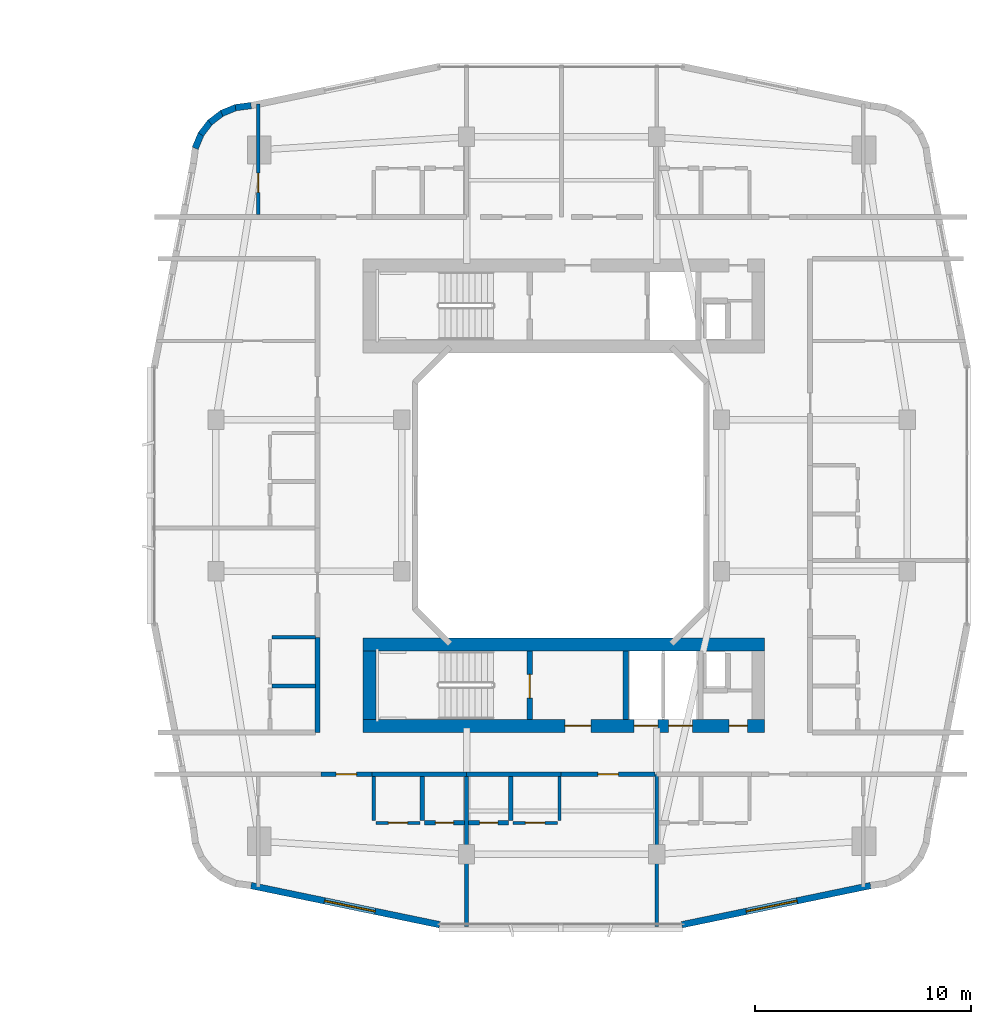
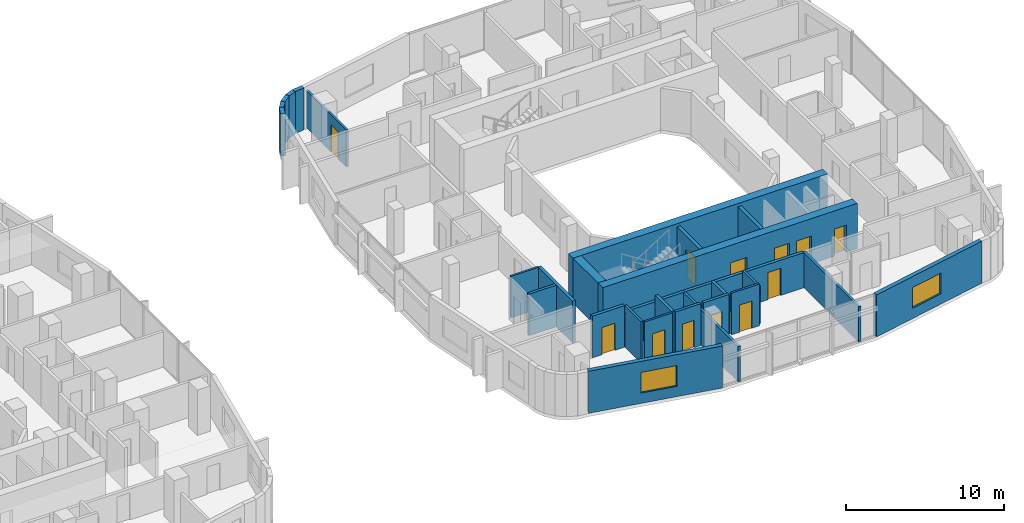
# One storey, part 18 of 27: 30 walls, 12 doors, 2 windows, 14 openings.
"""IFC4 building model written with IfcOpenShell, lengths in metres."""

from ifc_helpers import new_model, si_unit, derived_unit, direction, frame, frame_2d, origin, place, context, subcontext, project, spatial, rectangle, extrude, material, layer, layer_set, type_object, element, fill, save


model = new_model("IFC4")

# Units and contexts
model_context = context("Model", 3, precision=1e-05, world=origin(), true_north=direction((0.0, 1.0)))
body_context = subcontext(model_context, "Body", "Model", "MODEL_VIEW")
ifc_project = project(units=[si_unit("LENGTHUNIT", "METRE"), si_unit("AREAUNIT", "SQUARE_METRE"), si_unit("VOLUMEUNIT", "CUBIC_METRE"), si_unit("PLANEANGLEUNIT", "RADIAN"), si_unit("MASSUNIT", "GRAM", prefix="KILO"), derived_unit("THERMALTRANSMITTANCEUNIT", [(si_unit("POWERUNIT", "WATT"), 1), (si_unit("LENGTHUNIT", "METRE"), -2), (si_unit("THERMODYNAMICTEMPERATUREUNIT", "KELVIN"), -1)])], contexts=[model_context])

# Site, building, storey
site_placement = place(None, origin())
site = spatial("IfcSite", under=ifc_project, at=site_placement, CompositionType="ELEMENT")
building_placement = place(site_placement, origin())
building = spatial("IfcBuilding", under=site, at=building_placement, Name="Kivonza Crest Hotel", CompositionType="ELEMENT")
storey_placement = place(building_placement, frame((0.0, 0.0, 38.0)))
storey = spatial("IfcBuildingStorey", under=building, at=storey_placement, Name="L09", CompositionType="ELEMENT", Elevation=38.0)

# Walls
ifc_material_1 = material(Name="High-density acoustic masonry inter-tenancy wall", Category="masonry")
ifc_layer_1 = layer(ifc_material_1, 0.179931640625)
ifc_layer_set_1 = layer_set([ifc_layer_1], Name="High-density acoustic masonry inter-tenancy wall")
wall_type_1 = type_object("IfcWallType", Name="WL-ACOU-180", PredefinedType="SOLIDWALL", material=ifc_layer_set_1)
for number, where, z_axis, x_axis, name in (
    (1, (72.60009765625, 5.06005859375, 0.0), (0.0, 0.0, 1.0), (0.0, 1.0, 0.0), "L09 interior partition WA-L09-T2S-DIV1"),
    (2, (81.39990234375, 5.06005859375, 0.0), (0.0, 0.0, 1.0), (0.0, 1.0, 0.0), "L09 interior partition WA-L09-T2S-DIV2"),
):
    element("IfcWall", number, at=place(storey_placement, frame(where, z_axis=z_axis, x_axis=x_axis)), inside=storey, type_object=wall_type_1, Name=name, PredefinedType="SOLIDWALL", context=body_context, shape_type="SweptSolid", body=[
        extrude(rectangle(XDim=7.0400390625, YDim=0.179931640625, at=frame_2d((3.52001953125, 0.0))), origin(), (0.0, 0.0, 1.0), 2.72509765625),
    ])
ifc_material_2 = material(Name="Autoclaved aerated concrete blockwork", Category="masonry")
ifc_layer_2 = layer(ifc_material_2, 0.219970703125)
ifc_layer_set_2 = layer_set([ifc_layer_2], Name="Autoclaved aerated concrete blockwork")
wall_type_2 = type_object("IfcWallType", Name="WL-ACOU-220", PredefinedType="SOLIDWALL", material=ifc_layer_set_2)
wall_1_placement = place(storey_placement, frame((68.219970703125, 12.10009765625, 0.0), z_axis=(0.0, 0.0, 1.0), x_axis=(1.0, 0.0, 0.0)))
element("IfcWall", 3, at=wall_1_placement, inside=storey, type_object=wall_type_2, Name="L09 interior partition WA-L09-A03-RCORR", PredefinedType="SOLIDWALL", context=body_context, shape_type="SweptSolid", body=[
    extrude(rectangle(XDim=4.380126953125, YDim=0.219970703125, at=frame_2d((2.18994140625, 0.0))), origin(), (0.0, 0.0, 1.0), 2.72509765625),
])

# Wall, opening, door
wall_2_placement = place(storey_placement, frame((65.85009765625, 12.10009765625, 0.0), z_axis=(0.0, 0.0, 1.0), x_axis=(1.0, 0.0, 0.0)))
wall_2 = element("IfcWall", 4, at=wall_2_placement, inside=storey, type_object=wall_type_2, Name="L09 interior partition WA-L09-A03-MCORR", PredefinedType="SOLIDWALL", context=body_context, shape_type="SweptSolid", body=[
    extrude(rectangle(XDim=2.369873046875, YDim=0.219970703125, at=frame_2d((1.18505859375, 0.0))), origin(), (0.0, 0.0, 1.0), 3.219970703125),
])
opening_1_placement = place(wall_2_placement, frame((0.7099609375, 0.0, 0.0)))
opening_1 = element("IfcOpeningElement", 5, at=opening_1_placement, cuts=wall_2, Name="Opening DU-60", PredefinedType="OPENING", context=body_context, shape_type="SweptSolid", body=[
    extrude(rectangle(XDim=0.949951171875, YDim=2.10009765625, at=frame_2d((0.47509765625, 1.050048828125))), frame((0.0, 0.1201171875, 0.0), z_axis=(0.0, -1.0, 0.0), x_axis=(1.0, 0.0, 0.0)), (0.0, 0.0, 1.0), 0.239990234375),
])
ifc_material_3 = material(Name="Hardwood timber oak", Category="wood")
door_type_1 = type_object("IfcDoorType", Name="DR-UNIT-950", OperationType="NOTDEFINED", PredefinedType="DOOR", material=ifc_material_3)
door_1_placement = place(opening_1_placement, frame((0.949951171875, 0.0, 0.0), z_axis=(0.0, 0.0, 1.0), x_axis=(-1.0, 0.0, 0.0)))
door_1 = element("IfcDoor", 6, at=door_1_placement, inside=storey, type_object=door_type_1, Name="L09 A03 apartment entrance fire door", OperationType="SINGLE_SWING_LEFT", OverallHeight=2.10009765625, OverallWidth=0.949951171875, PredefinedType="DOOR", context=body_context, shape_type="SweptSolid", body=[
    extrude(rectangle(XDim=0.949951171875, YDim=2.10009765625, at=frame_2d((0.47509765625, 1.050048828125))), frame((0.0, 0.02490234375, 0.0), z_axis=(0.0, -1.0, 0.0), x_axis=(1.0, 0.0, 0.0)), (0.0, 0.0, 1.0), 0.050048828125),
])
fill(opening_1, door_1)

# Wall
wall_3_placement = place(storey_placement, frame((72.60009765625, 12.10009765625, 0.0), z_axis=(0.0, 0.0, 1.0), x_axis=(1.0, 0.0, 0.0)))
element("IfcWall", 7, at=wall_3_placement, inside=storey, type_object=wall_type_2, Name="L09 interior partition WA-L09-A04-LCORR", PredefinedType="SOLIDWALL", context=body_context, shape_type="SweptSolid", body=[
    extrude(rectangle(XDim=4.3798828125, YDim=0.219970703125, at=frame_2d((2.18994140625, 0.0))), origin(), (0.0, 0.0, 1.0), 2.72509765625),
])

# Wall, opening, door
wall_4_placement = place(storey_placement, frame((76.97998046875, 12.10009765625, 0.0), z_axis=(0.0, 0.0, 1.0), x_axis=(1.0, 0.0, 0.0)))
wall_4 = element("IfcWall", 8, at=wall_4_placement, inside=storey, type_object=wall_type_2, Name="L09 interior partition WA-L09-A04-MCORR", PredefinedType="SOLIDWALL", context=body_context, shape_type="SweptSolid", body=[
    extrude(rectangle(XDim=4.340087890625, YDim=0.219970703125, at=frame_2d((2.169921875, 0.0))), origin(), (0.0, 0.0, 1.0), 2.72509765625),
])
opening_2_placement = place(wall_4_placement, frame((1.695068359375, 0.0, 0.0)))
opening_2 = element("IfcOpeningElement", 9, at=opening_2_placement, cuts=wall_4, Name="Opening DU-60", PredefinedType="OPENING", context=body_context, shape_type="SweptSolid", body=[
    extrude(rectangle(XDim=0.949951171875, YDim=2.10009765625, at=frame_2d((0.47509765625, 1.050048828125))), frame((0.0, 0.1201171875, 0.0), z_axis=(0.0, -1.0, 0.0), x_axis=(1.0, 0.0, 0.0)), (0.0, 0.0, 1.0), 0.239990234375),
])
door_2_placement = place(opening_2_placement, frame((0.949951171875, 0.0, 0.0), z_axis=(0.0, 0.0, 1.0), x_axis=(-1.0, 0.0, 0.0)))
door_2 = element("IfcDoor", 10, at=door_2_placement, inside=storey, type_object=door_type_1, Name="L09 A04 apartment entrance fire door", OperationType="SINGLE_SWING_RIGHT", OverallHeight=2.10009765625, OverallWidth=0.949951171875, PredefinedType="DOOR", context=body_context, shape_type="SweptSolid", body=[
    extrude(rectangle(XDim=0.949951171875, YDim=2.10009765625, at=frame_2d((0.47509765625, 1.050048828125))), frame((0.0, 0.02490234375, 0.0), z_axis=(0.0, -1.0, 0.0), x_axis=(1.0, 0.0, 0.0)), (0.0, 0.0, 1.0), 0.050048828125),
])
fill(opening_2, door_2)

# Wall
wall_5_placement = place(storey_placement, frame((65.699951171875, 14.0400390625, 0.0), z_axis=(0.0, 0.0, 1.0), x_axis=(0.0, 1.0, 0.0)))
element("IfcWall", 11, at=wall_5_placement, inside=storey, type_object=wall_type_2, Name="L09 interior partition WA-L09-A06-BCORR", PredefinedType="SOLIDWALL", context=body_context, shape_type="SweptSolid", body=[
    extrude(rectangle(XDim=4.39990234375, YDim=0.219970703125, at=frame_2d((2.199951171875, 0.0))), origin(), (0.0, 0.0, 1.0), 3.219970703125),
])

# Wall, openings, doors
ifc_material_4 = material(Name="Concrete C60/75", Category="concrete")
ifc_layer_3 = layer(ifc_material_4, 0.60009765625)
ifc_layer_set_3 = layer_set([ifc_layer_3], Name="Concrete C60/75")
wall_type_3 = type_object("IfcWallType", Name="WL-CORE-600", PredefinedType="SHEAR", material=ifc_layer_set_3)
wall_6_placement = place(storey_placement, frame((67.800048828125, 14.340087890625, 0.0), z_axis=(0.0, 0.0, 1.0), x_axis=(1.0, 0.0, 0.0)))
wall_6 = element("IfcWall", 12, at=wall_6_placement, inside=storey, type_object=wall_type_3, Name="Core wall T2-S South L09", PredefinedType="SHEAR", context=body_context, shape_type="SweptSolid", body=[
    extrude(rectangle(XDim=18.599853515625, YDim=0.60009765625, at=frame_2d((9.2998046875, 0.0))), origin(), (0.0, 0.0, 1.0), 3.5),
])
opening_3_placement = place(wall_6_placement, frame((9.35009765625, 0.0, 0.0)))
opening_3 = element("IfcOpeningElement", 13, at=opening_3_placement, cuts=wall_6, Name="Opening DF-60", PredefinedType="OPENING", context=body_context, shape_type="SweptSolid", body=[
    extrude(rectangle(XDim=1.199951171875, YDim=2.14990234375, at=frame_2d((0.60009765625, 1.074951171875))), frame((0.0, 0.31005859375, 0.0), z_axis=(0.0, -1.0, 0.0), x_axis=(1.0, 0.0, 0.0)), (0.0, 0.0, 1.0), 0.6201171875),
])
opening_4_placement = place(wall_6_placement, frame((16.949951171875, 0.0, 0.0)))
opening_4 = element("IfcOpeningElement", 14, at=opening_4_placement, cuts=wall_6, Name="Opening DF-60R", PredefinedType="OPENING", context=body_context, shape_type="SweptSolid", body=[
    extrude(rectangle(XDim=0.85009765625, YDim=2.10009765625, at=frame_2d((0.425048828125, 1.050048828125))), frame((0.0, 0.31005859375, 0.0), z_axis=(0.0, -1.0, 0.0), x_axis=(1.0, 0.0, 0.0)), (0.0, 0.0, 1.0), 0.6201171875),
])
opening_5_placement = place(wall_6_placement, frame((12.550048828125, 0.0, 0.0)))
opening_5 = element("IfcOpeningElement", 15, at=opening_5_placement, cuts=wall_6, Name="Opening LD-120", PredefinedType="OPENING", context=body_context, shape_type="SweptSolid", body=[
    extrude(rectangle(XDim=1.10009765625, YDim=2.14990234375, at=frame_2d((0.550048828125, 1.074951171875))), frame((0.0, 0.31005859375, 0.0), z_axis=(0.0, -1.0, 0.0), x_axis=(1.0, 0.0, 0.0)), (0.0, 0.0, 1.0), 0.6201171875),
])
opening_6_placement = place(wall_6_placement, frame((14.14990234375, 0.0, 0.0)))
opening_6 = element("IfcOpeningElement", 16, at=opening_6_placement, cuts=wall_6, Name="Opening LD-120", PredefinedType="OPENING", context=body_context, shape_type="SweptSolid", body=[
    extrude(rectangle(XDim=1.10009765625, YDim=2.14990234375, at=frame_2d((0.550048828125, 1.074951171875))), frame((0.0, 0.31005859375, 0.0), z_axis=(0.0, -1.0, 0.0), x_axis=(1.0, 0.0, 0.0)), (0.0, 0.0, 1.0), 0.6201171875),
])
door_type_2 = type_object("IfcDoorType", Name="DR-FD60-1200", OperationType="NOTDEFINED", PredefinedType="DOOR", material=ifc_material_3)
door_3_placement = place(opening_3_placement, frame((1.199951171875, 0.0, 0.0), z_axis=(0.0, 0.0, 1.0), x_axis=(-1.0, 0.0, 0.0)))
door_3 = element("IfcDoor", 17, at=door_3_placement, inside=storey, type_object=door_type_2, Name="L09 T2-S firefighting lobby fire door", OperationType="SINGLE_SWING_LEFT", OverallHeight=2.14990234375, OverallWidth=1.199951171875, PredefinedType="DOOR", context=body_context, shape_type="SweptSolid", body=[
    extrude(rectangle(XDim=1.199951171875, YDim=2.14990234375, at=frame_2d((0.60009765625, 1.074951171875))), frame((0.0, 0.02490234375, 0.0), z_axis=(0.0, -1.0, 0.0), x_axis=(1.0, 0.0, 0.0)), (0.0, 0.0, 1.0), 0.050048828125),
])
fill(opening_3, door_3)
door_type_3 = type_object("IfcDoorType", Name="DR-FD60-850", OperationType="NOTDEFINED", PredefinedType="DOOR", material=ifc_material_3)
door_4_placement = place(opening_4_placement, frame((0.85009765625, 0.0, 0.0), z_axis=(0.0, 0.0, 1.0), x_axis=(-1.0, 0.0, 0.0)))
door_4 = element("IfcDoor", 18, at=door_4_placement, inside=storey, type_object=door_type_3, Name="L09 T2-S core room door", OperationType="SINGLE_SWING_RIGHT", OverallHeight=2.10009765625, OverallWidth=0.85009765625, PredefinedType="DOOR", context=body_context, shape_type="SweptSolid", body=[
    extrude(rectangle(XDim=0.85009765625, YDim=2.10009765625, at=frame_2d((0.425048828125, 1.050048828125))), frame((0.0, 0.02490234375, 0.0), z_axis=(0.0, -1.0, 0.0), x_axis=(1.0, 0.0, 0.0)), (0.0, 0.0, 1.0), 0.050048828125),
])
fill(opening_4, door_4)
ifc_material_5 = material(Name="Stainless steel", Category="steel")
door_type_4 = type_object("IfcDoorType", Name="DR-LD120-1100", OperationType="NOTDEFINED", PredefinedType="DOOR", material=ifc_material_5)
door_5_placement = place(opening_5_placement, frame((1.10009765625, 0.0, 0.0), z_axis=(0.0, 0.0, 1.0), x_axis=(-1.0, 0.0, 0.0)))
door_5 = element("IfcDoor", 19, at=door_5_placement, inside=storey, type_object=door_type_4, Name="L09 PL-T2-1 passenger lift sliding landing door", OperationType="DOUBLE_DOOR_SLIDING", OverallHeight=2.14990234375, OverallWidth=1.10009765625, PredefinedType="DOOR", context=body_context, shape_type="SweptSolid", body=[
    extrude(rectangle(XDim=1.10009765625, YDim=2.14990234375, at=frame_2d((0.550048828125, 1.074951171875))), frame((0.0, 0.02490234375, 0.0), z_axis=(0.0, -1.0, 0.0), x_axis=(1.0, 0.0, 0.0)), (0.0, 0.0, 1.0), 0.050048828125),
])
fill(opening_5, door_5)
door_6_placement = place(opening_6_placement, frame((1.10009765625, 0.0, 0.0), z_axis=(0.0, 0.0, 1.0), x_axis=(-1.0, 0.0, 0.0)))
door_6 = element("IfcDoor", 20, at=door_6_placement, inside=storey, type_object=door_type_4, Name="L09 PL-T2-2 passenger lift sliding landing door", OperationType="DOUBLE_DOOR_SLIDING", OverallHeight=2.14990234375, OverallWidth=1.10009765625, PredefinedType="DOOR", context=body_context, shape_type="SweptSolid", body=[
    extrude(rectangle(XDim=1.10009765625, YDim=2.14990234375, at=frame_2d((0.550048828125, 1.074951171875))), frame((0.0, 0.02490234375, 0.0), z_axis=(0.0, -1.0, 0.0), x_axis=(1.0, 0.0, 0.0)), (0.0, 0.0, 1.0), 0.050048828125),
])
fill(opening_6, door_6)

# Walls
wall_7_placement = place(storey_placement, frame((67.800048828125, 18.10009765625, 0.0), z_axis=(0.0, 0.0, 1.0), x_axis=(1.0, 0.0, 0.0)))
element("IfcWall", 21, at=wall_7_placement, inside=storey, type_object=wall_type_3, Name="Core wall T2-S North L09", PredefinedType="SHEAR", context=body_context, shape_type="SweptSolid", body=[
    extrude(rectangle(XDim=18.599853515625, YDim=0.60009765625, at=frame_2d((9.2998046875, 0.0))), origin(), (0.0, 0.0, 1.0), 3.5),
])
wall_8_placement = place(storey_placement, frame((68.10009765625, 14.639892578125, 0.0), z_axis=(0.0, 0.0, 1.0), x_axis=(0.0, 1.0, 0.0)))
element("IfcWall", 22, at=wall_8_placement, inside=storey, type_object=wall_type_3, Name="Core wall T2-S West L09", PredefinedType="SHEAR", context=body_context, shape_type="SweptSolid", body=[
    extrude(rectangle(XDim=3.16015625, YDim=0.60009765625, at=frame_2d((1.580078125, 0.0))), origin(), (0.0, 0.0, 1.0), 3.5),
])

# Wall, opening, window
ifc_material_6 = material(Name="Precast concrete C40/50", Category="concrete")
ifc_layer_4 = layer(ifc_material_6, 0.300048828125)
ifc_layer_set_4 = layer_set([ifc_layer_4], Name="Precast concrete C40/50")
wall_type_4 = type_object("IfcWallType", Name="WL-EXT-300", PredefinedType="STANDARD", material=ifc_layer_set_4)
wall_9_placement = place(storey_placement, frame((62.6220703125, 6.948974609375, 0.0), z_axis=(0.0, 0.0, 1.0), x_axis=(0.979127260729, -0.203248142175, 0.0)))
wall_9 = element("IfcWall", 23, at=wall_9_placement, inside=storey, type_object=wall_type_4, Name="L09 T2 exterior insulated wall 7", PredefinedType="STANDARD", context=body_context, shape_type="SweptSolid", body=[
    extrude(rectangle(XDim=8.920166015625, YDim=0.300048828125, at=frame_2d((4.4599609375, 0.0))), origin(), (0.0, 0.0, 1.0), 3.25),
])
opening_7_placement = place(wall_9_placement, frame((3.471923828125, 0.0, 0.800048828125)))
opening_7 = element("IfcOpeningElement", 24, at=opening_7_placement, cuts=wall_9, Name="Opening WN-05", PredefinedType="OPENING", context=body_context, shape_type="SweptSolid", body=[
    extrude(rectangle(XDim=2.39990234375, YDim=1.60009765625, at=frame_2d((1.199951171875, 0.800048828125))), frame((0.0, 0.16015625, 0.0), z_axis=(0.0, -1.0, 0.0), x_axis=(1.0, 0.0, 0.0)), (0.0, 0.0, 1.0), 0.320068359375),
])
ifc_material_7 = material(Name="Thermally broken bronze aluminium and low-E double glazing", Category="aluminium")
window_type = type_object("IfcWindowType", Name="WN-240x160", PartitioningType="TRIPLE_PANEL_VERTICAL", PredefinedType="WINDOW", material=ifc_material_7)
window_1_placement = place(opening_7_placement, origin())
window_1 = element("IfcWindow", 25, at=window_1_placement, inside=storey, type_object=window_type, Name="L09 T2 facade window 7", OverallHeight=1.60009765625, OverallWidth=2.39990234375, PartitioningType="SINGLE_PANEL", PredefinedType="WINDOW", context=body_context, shape_type="SweptSolid", body=[
    extrude(rectangle(XDim=2.39990234375, YDim=1.60009765625, at=frame_2d((1.199951171875, 0.800048828125))), frame((0.0, 0.030029296875, 0.0), z_axis=(0.0, -1.0, 0.0), x_axis=(1.0, 0.0, 0.0)), (0.0, 0.0, 1.0), 0.06005859375),
])
fill(opening_7, window_1)

wall_10_placement = place(storey_placement, frame((82.56396484375, 5.135986328125, 0.0), z_axis=(0.0, 0.0, 1.0), x_axis=(0.979128391325, 0.203242695569, 0.0)))
wall_10 = element("IfcWall", 26, at=wall_10_placement, inside=storey, type_object=wall_type_4, Name="L09 T2 exterior insulated wall 9", PredefinedType="STANDARD", context=body_context, shape_type="SweptSolid", body=[
    extrude(rectangle(XDim=8.92041015625, YDim=0.300048828125, at=frame_2d((4.460205078125, 0.0))), origin(), (0.0, 0.0, 1.0), 3.25),
])
opening_8_placement = place(wall_10_placement, frame((3.048095703125, 0.0, 0.800048828125)))
opening_8 = element("IfcOpeningElement", 27, at=opening_8_placement, cuts=wall_10, Name="Opening WN-05", PredefinedType="OPENING", context=body_context, shape_type="SweptSolid", body=[
    extrude(rectangle(XDim=2.39990234375, YDim=1.60009765625, at=frame_2d((1.199951171875, 0.800048828125))), frame((0.0, 0.16015625, 0.0), z_axis=(0.0, -1.0, 0.0), x_axis=(1.0, 0.0, 0.0)), (0.0, 0.0, 1.0), 0.320068359375),
])
window_2_placement = place(opening_8_placement, origin())
window_2 = element("IfcWindow", 28, at=window_2_placement, inside=storey, type_object=window_type, Name="L09 T2 facade window 9", OverallHeight=1.60009765625, OverallWidth=2.39990234375, PartitioningType="SINGLE_PANEL", PredefinedType="WINDOW", context=body_context, shape_type="SweptSolid", body=[
    extrude(rectangle(XDim=2.39990234375, YDim=1.60009765625, at=frame_2d((1.199951171875, 0.800048828125))), frame((0.0, 0.030029296875, 0.0), z_axis=(0.0, -1.0, 0.0), x_axis=(1.0, 0.0, 0.0)), (0.0, 0.0, 1.0), 0.06005859375),
])
fill(opening_8, window_2)

# Walls
wall_11_placement = place(storey_placement, frame((62.626953125, 43.052001953125, 0.0), z_axis=(0.0, 0.0, 1.0), x_axis=(-0.991480488834, -0.130255288807, 0.0)))
element("IfcWall", 29, at=wall_11_placement, inside=storey, type_object=wall_type_4, Name="L09 T2 exterior insulated wall 28", PredefinedType="STANDARD", context=body_context, shape_type="SweptSolid", body=[
    extrude(rectangle(XDim=0.72900390625, YDim=0.300048828125, at=frame_2d((0.364501953125, 0.0))), origin(), (0.0, 0.0, 1.0), 3.25),
])
for number, where, z_axis, x_axis, name in (
    (30, (61.955078125, 42.97607421875, 0.0), (0.0, 0.0, 1.0), (-0.923521684703, -0.383546213491, 0.0), "L09 T2 exterior insulated wall 29"),
    (31, (61.31103515625, 42.720947265625, 0.0), (0.0, 0.0, 1.0), (-0.79363269798, -0.608397189915, 0.0), "L09 T2 exterior insulated wall 30"),
    (32, (60.75390625, 42.30908203125, 0.0), (0.0, 0.0, 1.0), (-0.608397189915, -0.79363269798, 0.0), "L09 T2 exterior insulated wall 31"),
    (33, (60.323974609375, 41.76611328125, 0.0), (0.0, 0.0, 1.0), (-0.383151213466, -0.923685632463, 0.0), "L09 T2 exterior insulated wall 32"),
):
    element("IfcWall", number, at=place(storey_placement, frame(where, z_axis=z_axis, x_axis=x_axis)), inside=storey, type_object=wall_type_4, Name=name, PredefinedType="STANDARD", context=body_context, shape_type="SweptSolid", body=[
        extrude(rectangle(XDim=0.74609375, YDim=0.300048828125, at=frame_2d((0.373046875, 0.0))), origin(), (0.0, 0.0, 1.0), 3.25),
    ])

# Wall, opening, door
ifc_material_8 = material(Name="Twin-stud acoustic gypsum board partition", Category="gypsum")
ifc_layer_5 = layer(ifc_material_8, 0.14990234375)
ifc_layer_set_5 = layer_set([ifc_layer_5], Name="Twin-stud acoustic gypsum board partition")
wall_type_5 = type_object("IfcWallType", Name="WL-PART-150", PredefinedType="PARTITIONING", material=ifc_layer_set_5)
wall_12_placement = place(storey_placement, frame((62.9599609375, 38.0, 0.0), z_axis=(0.0, 0.0, 1.0), x_axis=(0.0, 1.0, 0.0)))
wall_12 = element("IfcWall", 34, at=wall_12_placement, inside=storey, type_object=wall_type_5, Name="L09 interior partition WP-L09-A01-BDW1", PredefinedType="PARTITIONING", context=body_context, shape_type="SweptSolid", body=[
    extrude(rectangle(XDim=5.113037109375, YDim=0.14990234375, at=frame_2d((2.556640625, 0.0))), origin(), (0.0, 0.0, 1.0), 2.864990234375),
])
opening_9_placement = place(wall_12_placement, frame((1.030029296875, 0.0, 0.0)))
opening_9 = element("IfcOpeningElement", 35, at=opening_9_placement, cuts=wall_12, Name="Opening DI-90", PredefinedType="OPENING", context=body_context, shape_type="SweptSolid", body=[
    extrude(rectangle(XDim=0.89990234375, YDim=2.10009765625, at=frame_2d((0.449951171875, 1.050048828125))), frame((0.0, 0.0849609375, 0.0), z_axis=(0.0, -1.0, 0.0), x_axis=(1.0, 0.0, 0.0)), (0.0, 0.0, 1.0), 0.169921875),
])
door_type_5 = type_object("IfcDoorType", Name="DR-INT-900", OperationType="NOTDEFINED", PredefinedType="DOOR", material=ifc_material_3)
door_7_placement = place(opening_9_placement, origin())
door_7 = element("IfcDoor", 36, at=door_7_placement, inside=storey, type_object=door_type_5, Name="L09 A01 bedroom 1 door", OperationType="SINGLE_SWING_RIGHT", OverallHeight=2.10009765625, OverallWidth=0.89990234375, PredefinedType="DOOR", context=body_context, shape_type="SweptSolid", body=[
    extrude(rectangle(XDim=0.89990234375, YDim=2.10009765625, at=frame_2d((0.449951171875, 1.050048828125))), frame((0.0, 0.02490234375, 0.0), z_axis=(0.0, -1.0, 0.0), x_axis=(1.0, 0.0, 0.0)), (0.0, 0.0, 1.0), 0.050048828125),
])
fill(opening_9, door_7)

# Wall
wall_13_placement = place(storey_placement, frame((68.300048828125, 9.949951171875, 0.0), z_axis=(0.0, 0.0, 1.0), x_axis=(0.0, 1.0, 0.0)))
element("IfcWall", 37, at=wall_13_placement, inside=storey, type_object=wall_type_5, Name="L09 interior partition WP-L09-A03-KF", PredefinedType="PARTITIONING", context=body_context, shape_type="SweptSolid", body=[
    extrude(rectangle(XDim=2.050048828125, YDim=0.14990234375, at=frame_2d((1.02490234375, 0.0))), origin(), (0.0, 0.0, 1.0), 3.219970703125),
])

# Wall, opening, door
wall_14_placement = place(storey_placement, frame((68.39990234375, 9.85009765625, 0.0), z_axis=(0.0, 0.0, 1.0), x_axis=(1.0, 0.0, 0.0)))
wall_14 = element("IfcWall", 38, at=wall_14_placement, inside=storey, type_object=wall_type_5, Name="L09 interior partition WP-L09-A03-KSVC", PredefinedType="PARTITIONING", context=body_context, shape_type="SweptSolid", body=[
    extrude(rectangle(XDim=2.050048828125, YDim=0.14990234375, at=frame_2d((1.02490234375, 0.0))), origin(), (0.0, 0.0, 1.0), 3.219970703125),
])
opening_10_placement = place(wall_14_placement, frame((0.574951171875, 0.0, 0.0)))
opening_10 = element("IfcOpeningElement", 39, at=opening_10_placement, cuts=wall_14, Name="Opening DI-90", PredefinedType="OPENING", context=body_context, shape_type="SweptSolid", body=[
    extrude(rectangle(XDim=0.89990234375, YDim=2.10009765625, at=frame_2d((0.449951171875, 1.050048828125))), frame((0.0, 0.0849609375, 0.0), z_axis=(0.0, -1.0, 0.0), x_axis=(1.0, 0.0, 0.0)), (0.0, 0.0, 1.0), 0.169921875),
])
door_8_placement = place(opening_10_placement, frame((0.89990234375, 0.0, 0.0), z_axis=(0.0, 0.0, 1.0), x_axis=(-1.0, 0.0, 0.0)))
door_8 = element("IfcDoor", 40, at=door_8_placement, inside=storey, type_object=door_type_5, Name="L09 A03 apartment kitchen door", OperationType="SINGLE_SWING_LEFT", OverallHeight=2.10009765625, OverallWidth=0.89990234375, PredefinedType="DOOR", context=body_context, shape_type="SweptSolid", body=[
    extrude(rectangle(XDim=0.89990234375, YDim=2.10009765625, at=frame_2d((0.449951171875, 1.050048828125))), frame((0.0, 0.02490234375, 0.0), z_axis=(0.0, -1.0, 0.0), x_axis=(1.0, 0.0, 0.0)), (0.0, 0.0, 1.0), 0.050048828125),
])
fill(opening_10, door_8)

# Wall
wall_15_placement = place(storey_placement, frame((76.89990234375, 9.949951171875, 0.0), z_axis=(0.0, 0.0, 1.0), x_axis=(0.0, 1.0, 0.0)))
element("IfcWall", 41, at=wall_15_placement, inside=storey, type_object=wall_type_5, Name="L09 interior partition WP-L09-A04-KF", PredefinedType="PARTITIONING", context=body_context, shape_type="SweptSolid", body=[
    extrude(rectangle(XDim=2.050048828125, YDim=0.14990234375, at=frame_2d((1.02490234375, 0.0))), origin(), (0.0, 0.0, 1.0), 2.89501953125),
])

# Wall, opening, door
wall_16_placement = place(storey_placement, frame((74.75, 9.85009765625, 0.0), z_axis=(0.0, 0.0, 1.0), x_axis=(1.0, 0.0, 0.0)))
wall_16 = element("IfcWall", 42, at=wall_16_placement, inside=storey, type_object=wall_type_5, Name="L09 interior partition WP-L09-A04-KSVC", PredefinedType="PARTITIONING", context=body_context, shape_type="SweptSolid", body=[
    extrude(rectangle(XDim=2.050048828125, YDim=0.14990234375, at=frame_2d((1.02490234375, 0.0))), origin(), (0.0, 0.0, 1.0), 3.219970703125),
])
opening_11_placement = place(wall_16_placement, frame((0.574951171875, 0.0, 0.0)))
opening_11 = element("IfcOpeningElement", 43, at=opening_11_placement, cuts=wall_16, Name="Opening DI-90", PredefinedType="OPENING", context=body_context, shape_type="SweptSolid", body=[
    extrude(rectangle(XDim=0.89990234375, YDim=2.10009765625, at=frame_2d((0.449951171875, 1.050048828125))), frame((0.0, 0.0849609375, 0.0), z_axis=(0.0, -1.0, 0.0), x_axis=(1.0, 0.0, 0.0)), (0.0, 0.0, 1.0), 0.169921875),
])
door_9_placement = place(opening_11_placement, frame((0.89990234375, 0.0, 0.0), z_axis=(0.0, 0.0, 1.0), x_axis=(-1.0, 0.0, 0.0)))
door_9 = element("IfcDoor", 44, at=door_9_placement, inside=storey, type_object=door_type_5, Name="L09 A04 apartment kitchen door", OperationType="SINGLE_SWING_RIGHT", OverallHeight=2.10009765625, OverallWidth=0.89990234375, PredefinedType="DOOR", context=body_context, shape_type="SweptSolid", body=[
    extrude(rectangle(XDim=0.89990234375, YDim=2.10009765625, at=frame_2d((0.449951171875, 1.050048828125))), frame((0.0, 0.02490234375, 0.0), z_axis=(0.0, -1.0, 0.0), x_axis=(1.0, 0.0, 0.0)), (0.0, 0.0, 1.0), 0.050048828125),
])
fill(opening_11, door_9)

# Walls
wall_17_placement = place(storey_placement, frame((63.60009765625, 18.43994140625, 0.0), z_axis=(0.0, 0.0, 1.0), x_axis=(1.0, 0.0, 0.0)))
element("IfcWall", 45, at=wall_17_placement, inside=storey, type_object=wall_type_5, Name="L09 interior partition WP-L09-A06-KF", PredefinedType="PARTITIONING", context=body_context, shape_type="SweptSolid", body=[
    extrude(rectangle(XDim=2.0, YDim=0.14990234375, at=frame_2d((1.0, 0.0))), origin(), (0.0, 0.0, 1.0), 3.219970703125),
])
ifc_material_9 = material(Name="Moisture-resistant plumbing chase partition wall", Category="gypsum")
ifc_layer_6 = layer(ifc_material_9, 0.199951171875)
ifc_layer_set_6 = layer_set([ifc_layer_6], Name="Moisture-resistant plumbing chase partition wall")
wall_type_6 = type_object("IfcWallType", Name="WL-PLUMB-200", PredefinedType="PLUMBINGWALL", material=ifc_layer_set_6)
wall_18_placement = place(storey_placement, frame((70.550048828125, 9.949951171875, 0.0), z_axis=(0.0, 0.0, 1.0), x_axis=(0.0, 1.0, 0.0)))
element("IfcWall", 46, at=wall_18_placement, inside=storey, type_object=wall_type_6, Name="L09 interior partition WW-L09-A03-BK", PredefinedType="PLUMBINGWALL", context=body_context, shape_type="SweptSolid", body=[
    extrude(rectangle(XDim=2.050048828125, YDim=0.199951171875, at=frame_2d((1.02490234375, 0.0))), origin(), (0.0, 0.0, 1.0), 3.219970703125),
])

# Wall, opening, door
wall_19_placement = place(storey_placement, frame((70.64990234375, 9.85009765625, 0.0), z_axis=(0.0, 0.0, 1.0), x_axis=(1.0, 0.0, 0.0)))
wall_19 = element("IfcWall", 47, at=wall_19_placement, inside=storey, type_object=wall_type_6, Name="L09 interior partition WW-L09-A03-BSVC", PredefinedType="PLUMBINGWALL", context=body_context, shape_type="SweptSolid", body=[
    extrude(rectangle(XDim=1.85009765625, YDim=0.199951171875, at=frame_2d((0.925048828125, 0.0))), origin(), (0.0, 0.0, 1.0), 3.219970703125),
])
opening_12_placement = place(wall_19_placement, frame((0.5, 0.0, 0.0)))
opening_12 = element("IfcOpeningElement", 48, at=opening_12_placement, cuts=wall_19, Name="Opening DI-85", PredefinedType="OPENING", context=body_context, shape_type="SweptSolid", body=[
    extrude(rectangle(XDim=0.85009765625, YDim=2.10009765625, at=frame_2d((0.425048828125, 1.050048828125))), frame((0.0, 0.10986328125, 0.0), z_axis=(0.0, -1.0, 0.0), x_axis=(1.0, 0.0, 0.0)), (0.0, 0.0, 1.0), 0.219970703125),
])
door_type_6 = type_object("IfcDoorType", Name="DR-INT-850", OperationType="NOTDEFINED", PredefinedType="DOOR", material=ifc_material_3)
door_10_placement = place(opening_12_placement, frame((0.85009765625, 0.0, 0.0), z_axis=(0.0, 0.0, 1.0), x_axis=(-1.0, 0.0, 0.0)))
door_10 = element("IfcDoor", 49, at=door_10_placement, inside=storey, type_object=door_type_6, Name="L09 A03 apartment bathroom door", OperationType="SINGLE_SWING_RIGHT", OverallHeight=2.10009765625, OverallWidth=0.85009765625, PredefinedType="DOOR", context=body_context, shape_type="SweptSolid", body=[
    extrude(rectangle(XDim=0.85009765625, YDim=2.10009765625, at=frame_2d((0.425048828125, 1.050048828125))), frame((0.0, 0.02490234375, 0.0), z_axis=(0.0, -1.0, 0.0), x_axis=(1.0, 0.0, 0.0)), (0.0, 0.0, 1.0), 0.050048828125),
])
fill(opening_12, door_10)

# Wall
wall_20_placement = place(storey_placement, frame((74.64990234375, 9.949951171875, 0.0), z_axis=(0.0, 0.0, 1.0), x_axis=(0.0, 1.0, 0.0)))
element("IfcWall", 50, at=wall_20_placement, inside=storey, type_object=wall_type_6, Name="L09 interior partition WW-L09-A04-BK", PredefinedType="PLUMBINGWALL", context=body_context, shape_type="SweptSolid", body=[
    extrude(rectangle(XDim=2.050048828125, YDim=0.199951171875, at=frame_2d((1.02490234375, 0.0))), origin(), (0.0, 0.0, 1.0), 2.89501953125),
])

# Wall, opening, door
wall_21_placement = place(storey_placement, frame((72.699951171875, 9.85009765625, 0.0), z_axis=(0.0, 0.0, 1.0), x_axis=(1.0, 0.0, 0.0)))
wall_21 = element("IfcWall", 51, at=wall_21_placement, inside=storey, type_object=wall_type_6, Name="L09 interior partition WW-L09-A04-BSVC", PredefinedType="PLUMBINGWALL", context=body_context, shape_type="SweptSolid", body=[
    extrude(rectangle(XDim=1.85009765625, YDim=0.199951171875, at=frame_2d((0.925048828125, 0.0))), origin(), (0.0, 0.0, 1.0), 3.219970703125),
])
opening_13_placement = place(wall_21_placement, frame((0.5, 0.0, 0.0)))
opening_13 = element("IfcOpeningElement", 52, at=opening_13_placement, cuts=wall_21, Name="Opening DI-85", PredefinedType="OPENING", context=body_context, shape_type="SweptSolid", body=[
    extrude(rectangle(XDim=0.85009765625, YDim=2.10009765625, at=frame_2d((0.425048828125, 1.050048828125))), frame((0.0, 0.10986328125, 0.0), z_axis=(0.0, -1.0, 0.0), x_axis=(1.0, 0.0, 0.0)), (0.0, 0.0, 1.0), 0.219970703125),
])
door_11_placement = place(opening_13_placement, frame((0.85009765625, 0.0, 0.0), z_axis=(0.0, 0.0, 1.0), x_axis=(-1.0, 0.0, 0.0)))
door_11 = element("IfcDoor", 53, at=door_11_placement, inside=storey, type_object=door_type_6, Name="L09 A04 apartment bathroom door", OperationType="SINGLE_SWING_LEFT", OverallHeight=2.10009765625, OverallWidth=0.85009765625, PredefinedType="DOOR", context=body_context, shape_type="SweptSolid", body=[
    extrude(rectangle(XDim=0.85009765625, YDim=2.10009765625, at=frame_2d((0.425048828125, 1.050048828125))), frame((0.0, 0.02490234375, 0.0), z_axis=(0.0, -1.0, 0.0), x_axis=(1.0, 0.0, 0.0)), (0.0, 0.0, 1.0), 0.050048828125),
])
fill(opening_13, door_11)

# Wall
wall_22_placement = place(storey_placement, frame((63.60009765625, 16.18994140625, 0.0), z_axis=(0.0, 0.0, 1.0), x_axis=(1.0, 0.0, 0.0)))
element("IfcWall", 54, at=wall_22_placement, inside=storey, type_object=wall_type_6, Name="L09 interior partition WW-L09-A06-BK", PredefinedType="PLUMBINGWALL", context=body_context, shape_type="SweptSolid", body=[
    extrude(rectangle(XDim=2.0, YDim=0.199951171875, at=frame_2d((1.0, 0.0))), origin(), (0.0, 0.0, 1.0), 3.219970703125),
])

# Wall, opening, door
ifc_material_10 = material(Name="Concrete C50/60", Category="concrete")
ifc_layer_7 = layer(ifc_material_10, 0.25)
ifc_layer_set_7 = layer_set([ifc_layer_7], Name="Concrete C50/60")
wall_type_7 = type_object("IfcWallType", Name="WL-SHAFT-250", PredefinedType="STANDARD", material=ifc_layer_set_7)
wall_23_placement = place(storey_placement, frame((75.52490234375, 14.639892578125, 0.0), z_axis=(0.0, 0.0, 1.0), x_axis=(0.0, 1.0, 0.0)))
wall_23 = element("IfcWall", 55, at=wall_23_placement, inside=storey, type_object=wall_type_7, Name="Core shaft wall T2-S STAIR L09", PredefinedType="STANDARD", context=body_context, shape_type="SweptSolid", body=[
    extrude(rectangle(XDim=3.16015625, YDim=0.25, at=frame_2d((1.580078125, 0.0))), origin(), (0.0, 0.0, 1.0), 3.25),
])
opening_14_placement = place(wall_23_placement, frame((0.97998046875, 0.0, 0.0)))
opening_14 = element("IfcOpeningElement", 56, at=opening_14_placement, cuts=wall_23, Name="Opening DF-120", PredefinedType="OPENING", context=body_context, shape_type="SweptSolid", body=[
    extrude(rectangle(XDim=1.10009765625, YDim=2.14990234375, at=frame_2d((0.550048828125, 1.074951171875))), frame((0.0, 0.135009765625, 0.0), z_axis=(0.0, -1.0, 0.0), x_axis=(1.0, 0.0, 0.0)), (0.0, 0.0, 1.0), 0.27001953125),
])
ifc_material_11 = material(Name="Galvanised steel", Category="steel")
door_type_7 = type_object("IfcDoorType", Name="DR-FD120-1100", OperationType="NOTDEFINED", PredefinedType="DOOR", material=ifc_material_11)
door_12_placement = place(opening_14_placement, frame((1.10009765625, 0.0, 0.0), z_axis=(0.0, 0.0, 1.0), x_axis=(-1.0, 0.0, 0.0)))
door_12 = element("IfcDoor", 57, at=door_12_placement, inside=storey, type_object=door_type_7, Name="L09 T2-S stair fire door", OperationType="SINGLE_SWING_RIGHT", OverallHeight=2.14990234375, OverallWidth=1.10009765625, PredefinedType="DOOR", context=body_context, shape_type="SweptSolid", body=[
    extrude(rectangle(XDim=1.10009765625, YDim=2.14990234375, at=frame_2d((0.550048828125, 1.074951171875))), frame((0.0, 0.02490234375, 0.0), z_axis=(0.0, -1.0, 0.0), x_axis=(1.0, 0.0, 0.0)), (0.0, 0.0, 1.0), 0.050048828125),
])
fill(opening_14, door_12)

# Wall
wall_24_placement = place(storey_placement, frame((79.97509765625, 14.639892578125, 0.0), z_axis=(0.0, 0.0, 1.0), x_axis=(0.0, 1.0, 0.0)))
element("IfcWall", 58, at=wall_24_placement, inside=storey, type_object=wall_type_7, Name="Core shaft wall T2-S BANK-W L09", PredefinedType="STANDARD", context=body_context, shape_type="SweptSolid", body=[
    extrude(rectangle(XDim=3.16015625, YDim=0.25, at=frame_2d((1.580078125, 0.0))), origin(), (0.0, 0.0, 1.0), 3.25),
])

save(model, "model.ifc")
